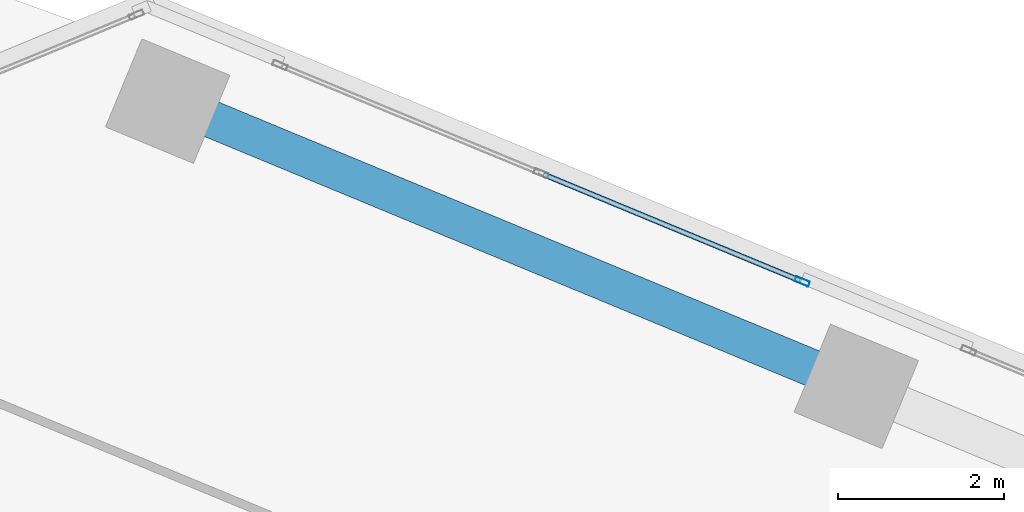
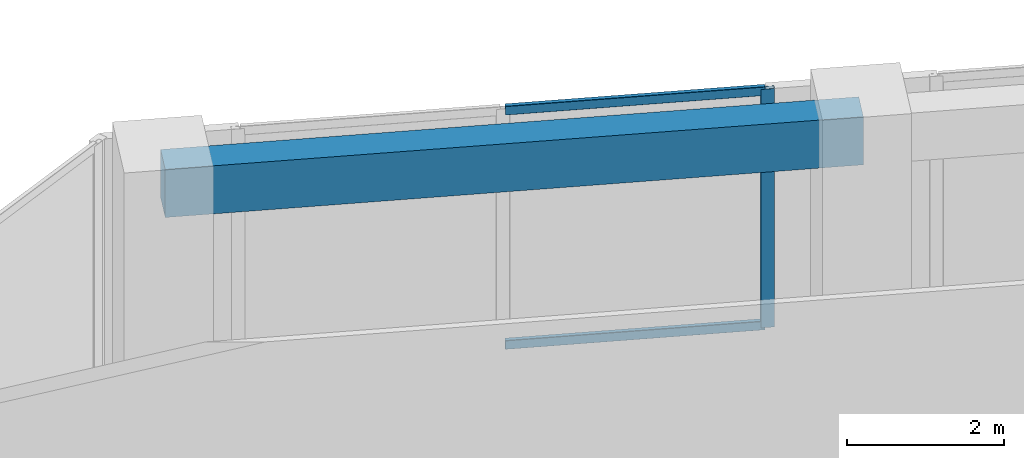
# One storey, part 14 of 24: 3 members, 1 beam, 1 element without a shape of its own.
"""IFC4 building model written with IfcOpenShell, lengths in metres."""

import ifcopenshell
import ifcopenshell.guid

model = None  # the IFC model being written
_history = None  # IfcOwnerHistory: only IFC2X3 demands one
_inside = {}  # id of a spatial element -> (the spatial element, [elements in it])
_under = {}  # id of a project, library or spatial element -> (it, [spatial elements below it])
_declared = {}  # id of a project -> (the project, [libraries it declares])
_typed = {}  # id of a type object -> (the type object, [elements of that type])
_made_of = {}  # id of a material, layer set ... -> (it, [elements and type objects made of it])


def new_model(schema):
    """Start an empty IFC model of exactly this schema.

    Asked for "IFC4X3", IfcOpenShell would pick the latest addendum, in which some entities
    have other attributes; the version numbers below select the first issue.
    IFC2X3 requires an IfcOwnerHistory on every rooted entity: one is made here for all.
    """
    global model, _history
    if schema == "IFC4X3":
        model = ifcopenshell.file(schema_version=(4, 3, 0, 0))
    else:
        model = ifcopenshell.file(schema=schema)
    _inside.clear()
    _under.clear()
    _declared.clear()
    _typed.clear()
    _made_of.clear()
    _history = None
    if model.schema == "IFC2X3":
        org = make("IfcOrganization", Name="unknown")
        user = make(
            "IfcPersonAndOrganization",
            ThePerson=make("IfcPerson", FamilyName="unknown"),
            TheOrganization=org,
        )
        app = make(
            "IfcApplication",
            ApplicationDeveloper=org,
            Version="unknown",
            ApplicationFullName="unknown",
            ApplicationIdentifier="unknown",
        )
        _history = make(
            "IfcOwnerHistory",
            OwningUser=user,
            OwningApplication=app,
            ChangeAction="ADDED",
            CreationDate=0,
        )
    return model


def make(cls, **values):
    """One entity of the class cls with the attributes given. An attribute that is None is left unset."""
    return model.create_entity(
        cls, **{name: value for name, value in values.items() if value is not None}
    )


def rooted(cls, **values):
    """An entity with a GlobalId (a new one), such as an element, a storey or a relation."""
    return make(cls, GlobalId=ifcopenshell.guid.new(), OwnerHistory=_history, **values)


def si_unit(unit_type, name, prefix=None):
    """IfcSIUnit, for example si_unit("LENGTHUNIT", "METRE", prefix="MILLI")."""
    return make("IfcSIUnit", UnitType=unit_type, Prefix=prefix, Name=name)


def assignment(units):
    """IfcUnitAssignment: the units of a project."""
    return None if units is None else make("IfcUnitAssignment", Units=units)


def point(xyz):
    """IfcCartesianPoint."""
    return None if xyz is None else make("IfcCartesianPoint", Coordinates=xyz)


def direction(xyz):
    """IfcDirection."""
    return None if xyz is None else make("IfcDirection", DirectionRatios=xyz)


def frame(location, z_axis=None, x_axis=None):
    """IfcAxis2Placement3D, a coordinate frame: its origin and axes. An axis left out is left unset."""
    return make(
        "IfcAxis2Placement3D",
        Location=point(location),
        Axis=direction(z_axis),
        RefDirection=direction(x_axis),
    )


def frame_2d(location, x_axis=None):
    """IfcAxis2Placement2D, a coordinate frame in the plane: its origin and x axis."""
    return make(
        "IfcAxis2Placement2D", Location=point(location), RefDirection=direction(x_axis)
    )


def origin():
    """The frame at (0, 0, 0) with its axes left unset."""
    return frame((0.0, 0.0, 0.0))


def origin_2d():
    """The frame at (0, 0) in the plane with its x axis left unset."""
    return frame_2d((0.0, 0.0))


def place(relative_to, where):
    """IfcLocalPlacement: puts the frame where relative to a parent placement (None: the world)."""
    return make(
        "IfcLocalPlacement", PlacementRelTo=relative_to, RelativePlacement=where
    )


def context(
    kind, dimensions, precision=None, world=None, true_north=None, identifier=None
):
    """IfcGeometricRepresentationContext, for example the 3D "Model" context."""
    return make(
        "IfcGeometricRepresentationContext",
        ContextIdentifier=identifier,
        ContextType=kind,
        CoordinateSpaceDimension=dimensions,
        Precision=precision,
        WorldCoordinateSystem=world,
        TrueNorth=true_north,
    )


def subcontext(parent, identifier, kind, view, scale=None):
    """IfcGeometricRepresentationSubContext, for example "Body" below "Model"."""
    return make(
        "IfcGeometricRepresentationSubContext",
        ContextIdentifier=identifier,
        ContextType=kind,
        ParentContext=parent,
        TargetScale=scale,
        TargetView=view,
    )


def project(units=None, contexts=None):
    """IfcProject with its units and contexts."""
    return rooted(
        "IfcProject",
        Name="project",
        RepresentationContexts=contexts,
        UnitsInContext=assignment(units),
    )


def spatial(cls, under=None, at=None, **own):
    """A site, building, storey or space (cls), placed at a placement, below another one or the project."""
    s = rooted(cls, ObjectPlacement=at, **own)
    if under is not None:
        _under.setdefault(under.id(), (under, []))[1].append(s)
    return s


def profile(cls, at=None, kind="AREA", **sizes):
    """A parametric profile (cls). Its sizes go by their IFC names, for example OverallWidth=200.0."""
    return make(cls, ProfileType=kind, Position=at, **sizes)


def rectangle(**sizes):
    """IfcRectangleProfileDef."""
    return profile("IfcRectangleProfileDef", **sizes)


def hollow_rectangle(**sizes):
    """IfcRectangleHollowProfileDef."""
    return profile("IfcRectangleHollowProfileDef", **sizes)


def extrude(swept, where, along, depth):
    """IfcExtrudedAreaSolid: the profile swept, set in the frame where, extruded along a direction by depth."""
    return make(
        "IfcExtrudedAreaSolid",
        SweptArea=swept,
        Position=where,
        ExtrudedDirection=direction(along),
        Depth=depth,
    )


def shape(context_of_items, identifier, shape_type, items):
    """IfcShapeRepresentation: the items that make up one representation, for example the "Body"."""
    return make(
        "IfcShapeRepresentation",
        ContextOfItems=context_of_items,
        RepresentationIdentifier=identifier,
        RepresentationType=shape_type,
        Items=items,
    )


def source(mapping_origin, context_of_items, identifier, shape_type, items):
    """IfcRepresentationMap: a shape defined once, which mapped items show again and again."""
    return make(
        "IfcRepresentationMap",
        MappingOrigin=mapping_origin,
        MappedRepresentation=shape(context_of_items, identifier, shape_type, items),
    )


def transform(
    local_origin,
    x_axis=None,
    y_axis=None,
    z_axis=None,
    scale=None,
    scale2=None,
    scale3=None,
    uniform=True,
):
    """IfcCartesianTransformationOperator3D, or its non-uniform kind. x_axis, y_axis, z_axis: its Axis1, 2, 3."""
    if uniform:
        return make(
            "IfcCartesianTransformationOperator3D",
            Axis1=direction(x_axis),
            Axis2=direction(y_axis),
            LocalOrigin=point(local_origin),
            Scale=scale,
            Axis3=direction(z_axis),
        )
    return make(
        "IfcCartesianTransformationOperator3DnonUniform",
        Axis1=direction(x_axis),
        Axis2=direction(y_axis),
        LocalOrigin=point(local_origin),
        Scale=scale,
        Axis3=direction(z_axis),
        Scale2=scale2,
        Scale3=scale3,
    )


def mapped(mapping_source, mapping_target):
    """IfcMappedItem: shows the shape of a source again, moved by a transform."""
    return make(
        "IfcMappedItem", MappingSource=mapping_source, MappingTarget=mapping_target
    )


def material(Name=None, Category=None):
    """IfcMaterial."""
    return make("IfcMaterial", Name=Name, Category=Category)


def material_profile(
    of_material, cross_section, Name=None, Category=None, Priority=None
):
    """IfcMaterialProfile: a cross section and its material."""
    return make(
        "IfcMaterialProfile",
        Name=Name,
        Material=of_material,
        Profile=cross_section,
        Priority=Priority,
        Category=Category,
    )


def profile_set(profiles, Name=None, composite=None):
    """IfcMaterialProfileSet."""
    return make(
        "IfcMaterialProfileSet",
        Name=Name,
        MaterialProfiles=profiles,
        CompositeProfile=composite,
    )


def made_of(thing, what):
    """Note that an element or type object is made of a material, layer set ...; save() writes the relation."""
    if what is not None:
        _made_of.setdefault(what.id(), (what, []))[1].append(thing)
    return thing


def type_object(cls, material=None, **own):
    """A type object (cls), such as IfcWallType, which elements share."""
    return made_of(rooted(cls, **own), material)


def element(
    cls,
    number,
    at=None,
    inside=None,
    cuts=None,
    type_object=None,
    material=None,
    context=None,
    identifier="Body",
    shape_type=None,
    held_by="IfcProductDefinitionShape",
    body=None,
    shapes=None,
    **own,
):
    """One element of the class cls, such as IfcWall. Its Tag is "e" and its number.

    at: its placement. inside: the storey or other place that contains it. cuts: it is an
    opening in that element (IfcRelVoidsElement). A single representation is given by context,
    identifier, shape_type and body (its items); several are given by shapes. held_by: the class
    of the entity that holds the representations. save() writes the other relations.
    """
    e = rooted(cls, Tag="e%d" % number, ObjectPlacement=at, **own)
    if body is not None:
        shapes = [shape(context, identifier, shape_type, body)]
    if shapes is not None:
        e.Representation = make(held_by, Representations=shapes)
    if inside is not None:
        _inside.setdefault(inside.id(), (inside, []))[1].append(e)
    if cuts is not None:
        rooted(
            "IfcRelVoidsElement", RelatingBuildingElement=cuts, RelatedOpeningElement=e
        )
    if type_object is not None:
        _typed.setdefault(type_object.id(), (type_object, []))[1].append(e)
    return made_of(e, material)


def aggregate(whole, parts):
    """IfcRelAggregates: a whole, such as a stair, and the parts it consists of."""
    return rooted("IfcRelAggregates", RelatingObject=whole, RelatedObjects=parts)


def save(model, path):
    """Write the relations noted so far, then the file.

    IfcRelAggregates (storeys below a building ...), IfcRelContainedInSpatialStructure (elements
    in a storey), IfcRelDefinesByType, IfcRelAssociatesMaterial and IfcRelDeclares: one each for
    every whole, place, type object, material and project.
    """
    for whole, parts in _under.values():
        aggregate(whole, parts)
    for where, things in _inside.values():
        rooted(
            "IfcRelContainedInSpatialStructure",
            RelatedElements=things,
            RelatingStructure=where,
        )
    for kind, things in _typed.values():
        rooted("IfcRelDefinesByType", RelatedObjects=things, RelatingType=kind)
    for what, things in _made_of.values():
        rooted("IfcRelAssociatesMaterial", RelatedObjects=things, RelatingMaterial=what)
    for by, libraries in _declared.values():
        rooted("IfcRelDeclares", RelatingContext=by, RelatedDefinitions=libraries)
    model.write(path)


model = new_model("IFC4")

# Units and contexts
model_context = context("Model", 3, precision=1e-05, world=origin(), true_north=direction((0.0, 1.0)))
body_context = subcontext(model_context, "Body", "Model", "MODEL_VIEW")
ifc_project = project(units=[si_unit("LENGTHUNIT", "METRE"), si_unit("AREAUNIT", "SQUARE_METRE"), si_unit("VOLUMEUNIT", "CUBIC_METRE"), si_unit("PLANEANGLEUNIT", "RADIAN"), si_unit("MASSUNIT", "GRAM", prefix="KILO")], contexts=[model_context])

# Site, building, storey
site_placement = place(None, origin())
site = spatial("IfcSite", under=ifc_project, at=site_placement, CompositionType="ELEMENT")
building_placement = place(site_placement, origin())
building = spatial("IfcBuilding", under=site, at=building_placement, Name="Torre Montelarca", CompositionType="ELEMENT")
storey_placement = place(building_placement, frame((0.0, 0.0, 141.39990234375)))
storey = spatial("IfcBuildingStorey", under=building, at=storey_placement, Name="L31", CompositionType="ELEMENT", Elevation=141.39990234375)

# Beam
ifc_material_1 = material(Name="Concrete C55/67", Category="concrete")
ifc_material_profile_1 = material_profile(ifc_material_1, rectangle(XDim=0.449951171875, YDim=0.75, at=origin_2d()), Name="RCB450X750", Category="concrete")
ifc_profile_set_1 = profile_set([ifc_material_profile_1], Name="Concrete C55/67")
beam_type = type_object("IfcBeamType", Name="BM-SP-RC750-EXT", PredefinedType="SPANDREL", material=ifc_profile_set_1)
shared_shape_1 = source(origin(), body_context, "Body", "SweptSolid", [
    extrude(rectangle(XDim=0.449951171875, YDim=0.75, at=origin_2d()), origin(), (0.0, 0.0, 1.0), 9.0),
])
beam_placement = place(storey_placement, frame((15.749267578125, 50.7802734375, 3.585205078125), z_axis=(0.923882270716, -0.382676821686, 0.0), x_axis=(0.382676821686, 0.923882270716, 0.0)))
element("IfcBeam", 1, at=beam_placement, inside=storey, type_object=beam_type, Name="L31 Grid Girder X 9.0-18.0 at Y=47.1", PredefinedType="SPANDREL", context=body_context, shape_type="MappedRepresentation", body=[
    mapped(shared_shape_1, transform((0.0, 0.0, 0.0), scale=1.0)),
])

# Curtain wall, members
ifc_material_2 = material(Name="Insulated low-E laminated glass", Category="glass")
curtain_wall_type = type_object("IfcCurtainWallType", Name="CW-SYS-Z2", PredefinedType="USERDEFINED", material=ifc_material_2)
curtain_wall_placement = place(storey_placement, origin())
curtain_wall = element("IfcCurtainWall", 2, at=curtain_wall_placement, inside=storey, type_object=curtain_wall_type, Name="L31 Curtain Wall Run CW-T3-L31-E08-B4", ObjectType="UNITISED GLAZING", PredefinedType="USERDEFINED")
ifc_material_3 = material(Name="Anodised aluminium AA 6063-T6", Category="aluminium")
ifc_material_profile_2 = material_profile(ifc_material_3, hollow_rectangle(XDim=0.06494140625, YDim=0.179931640625, WallThickness=0.00390625, InnerFilletRadius=0.00390625, OuterFilletRadius=0.008056640625, at=origin_2d()), Name="ALU65X180X4", Category="aluminium")
ifc_profile_set_2 = profile_set([ifc_material_profile_2], Name="Anodised aluminium AA 6063-T6")
member_type_1 = type_object("IfcMemberType", Name="CWM-ALU180", PredefinedType="MULLION", material=ifc_profile_set_2)
shared_shape_2 = source(origin(), body_context, "Body", "SweptSolid", [
    extrude(hollow_rectangle(XDim=0.06494140625, YDim=0.179931640625, WallThickness=0.00390625, InnerFilletRadius=0.00390625, OuterFilletRadius=0.008056640625, at=origin_2d()), origin(), (0.0, 0.0, 1.0), 3.72021484375),
])
member_1_placement = place(storey_placement, frame((23.411376953125, 48.602294921875, 0.0), z_axis=(0.0, 0.0, 1.0), x_axis=(-0.382686352134, -0.923878323098, 0.0)))
member_1 = element("IfcMember", 3, at=member_1_placement, type_object=member_type_1, Name="CW mullion 1", PredefinedType="MULLION", context=body_context, shape_type="MappedRepresentation", body=[
    mapped(shared_shape_2, transform((0.0, 0.0, 0.0), scale=1.0)),
])
ifc_material_profile_3 = material_profile(ifc_material_3, hollow_rectangle(XDim=0.06494140625, YDim=0.139892578125, WallThickness=0.00390625, InnerFilletRadius=0.00390625, OuterFilletRadius=0.008056640625, at=origin_2d()), Name="ALU65X140X4", Category="aluminium")
ifc_profile_set_3 = profile_set([ifc_material_profile_3], Name="Anodised aluminium AA 6063-T6")
member_type_2 = type_object("IfcMemberType", Name="CWT-ALU140", PredefinedType="USERDEFINED", material=ifc_profile_set_3)
shared_shape_3 = source(origin(), body_context, "Body", "SweptSolid", [
    extrude(hollow_rectangle(XDim=0.06494140625, YDim=0.139892578125, WallThickness=0.00390625, InnerFilletRadius=0.00390625, OuterFilletRadius=0.008056640625, at=origin_2d()), origin(), (0.0, 0.0, 1.0), 3.347412109375),
])
member_2_placement = place(storey_placement, frame((23.38134765625, 48.61474609375, 0.03271484375), z_axis=(-0.923875488976, 0.382693194178, 0.0), x_axis=(-0.382693194178, -0.923875488976, 0.0)))
member_2 = element("IfcMember", 4, at=member_2_placement, type_object=member_type_2, Name="CW transom 1.1", ObjectType="TRANSOM", PredefinedType="USERDEFINED", context=body_context, shape_type="MappedRepresentation", body=[
    mapped(shared_shape_3, transform((0.0, 0.0, 0.0), scale=1.0)),
])
member_3_placement = place(storey_placement, frame((23.38134765625, 48.61474609375, 3.6875), z_axis=(-0.923875488976, 0.382693194178, 0.0), x_axis=(-0.382693194178, -0.923875488976, 0.0)))
member_3 = element("IfcMember", 5, at=member_3_placement, type_object=member_type_2, Name="CW transom 1.2", ObjectType="TRANSOM", PredefinedType="USERDEFINED", context=body_context, shape_type="MappedRepresentation", body=[
    mapped(shared_shape_3, transform((0.0, 0.0, 0.0), scale=1.0)),
])
aggregate(curtain_wall, [member_1, member_2, member_3])

save(model, "model.ifc")
